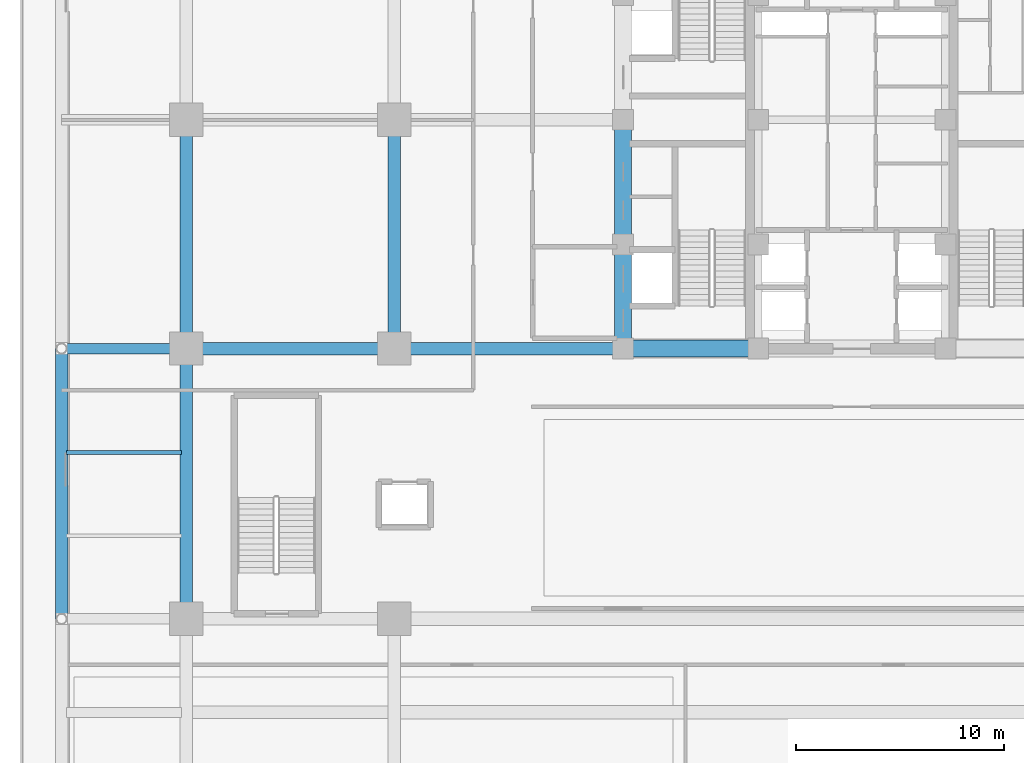
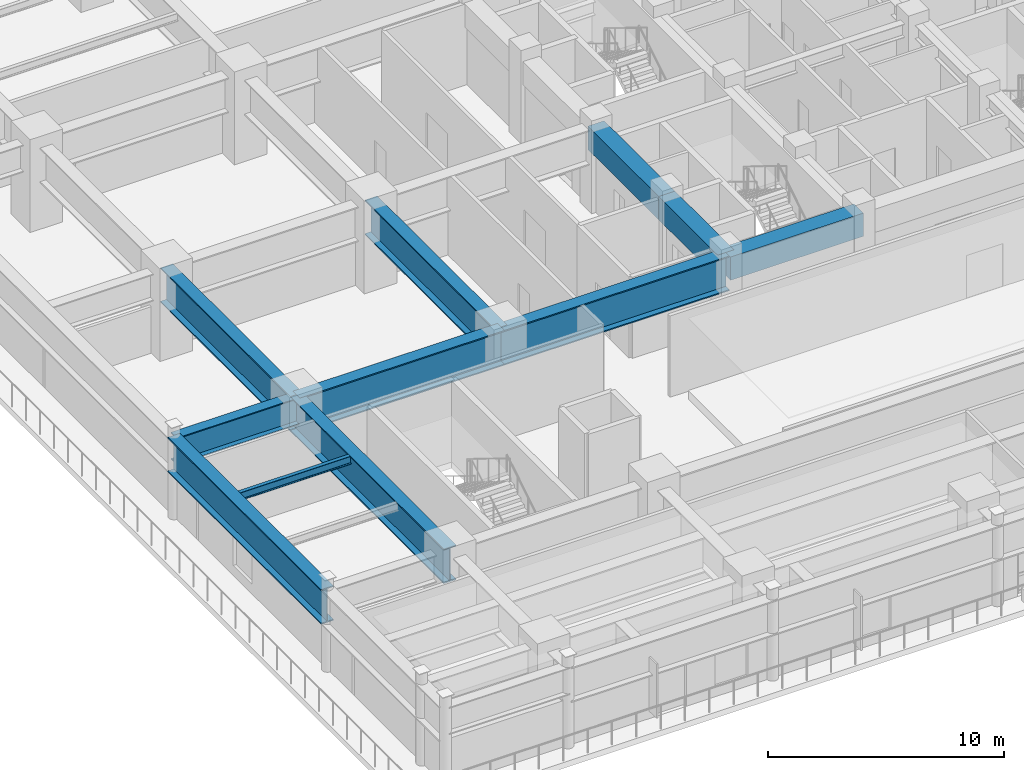
# One storey, part 8 of 35: 11 beams.
"""IFC4 building model written with IfcOpenShell, lengths in metres."""

from ifc_helpers import new_model, si_unit, direction, frame, origin, origin_2d, place, context, subcontext, project, spatial, rectangle, i_section, extrude, source, transform, mapped, material, material_profile, profile_set, type_object, element, save


model = new_model("IFC4")

# Units and contexts
model_context = context("Model", 3, precision=1e-05, world=origin(), true_north=direction((0.0, 1.0)))
body_context = subcontext(model_context, "Body", "Model", "MODEL_VIEW")
ifc_project = project(units=[si_unit("LENGTHUNIT", "METRE"), si_unit("AREAUNIT", "SQUARE_METRE"), si_unit("VOLUMEUNIT", "CUBIC_METRE"), si_unit("PLANEANGLEUNIT", "RADIAN"), si_unit("MASSUNIT", "GRAM", prefix="KILO")], contexts=[model_context])

# Site, building, storey
site_placement = place(None, origin())
site = spatial("IfcSite", under=ifc_project, at=site_placement, CompositionType="ELEMENT")
building_placement = place(site_placement, origin())
building = spatial("IfcBuilding", under=site, at=building_placement, Name="Khorayat Bourse Tower", CompositionType="ELEMENT")
storey_placement = place(building_placement, frame((0.0, 0.0, 22.199951171875)))
storey = spatial("IfcBuildingStorey", under=building, at=storey_placement, Name="L04", CompositionType="ELEMENT", Elevation=22.199951171875)

# Beams
ifc_material_1 = material(Name="Concrete C72/90", Category="concrete")
ifc_material_profile_1 = material_profile(ifc_material_1, rectangle(XDim=0.800048828125, YDim=1.199951171875, at=origin_2d()), Name="RC 800x1200")
ifc_profile_set_1 = profile_set([ifc_material_profile_1], Name="Concrete C72/90")
beam_type_1 = type_object("IfcBeamType", Name="BM-COUP-1200", PredefinedType="BEAM", material=ifc_profile_set_1)
shared_shape_1 = source(origin(), body_context, "Body", "SweptSolid", [
    extrude(rectangle(XDim=0.800048828125, YDim=1.199951171875, at=origin_2d()), origin(), (0.0, 0.0, 1.0), 5.0),
])
beam_1_placement = place(storey_placement, frame((-11.0, -11.0, 3.60009765625), z_axis=(0.0, 1.0, 0.0), x_axis=(-1.0, 0.0, 0.0)))
element("IfcBeam", 1, at=beam_1_placement, inside=storey, type_object=beam_type_1, Name="L04 BM-COUP-1200 BM-L04-CRX-01", PredefinedType="BEAM", context=body_context, shape_type="MappedRepresentation", body=[
    mapped(shared_shape_1, transform((0.0, 0.0, 0.0), scale=1.0)),
])
shared_shape_2 = source(origin(), body_context, "Body", "SweptSolid", [
    extrude(rectangle(XDim=0.800048828125, YDim=1.199951171875, at=origin_2d()), origin(), (0.0, 0.0, 1.0), 6.0),
])
beam_2_placement = place(storey_placement, frame((-11.0, -6.0, 3.60009765625), z_axis=(0.0, 1.0, 0.0), x_axis=(-1.0, 0.0, 0.0)))
element("IfcBeam", 2, at=beam_2_placement, inside=storey, type_object=beam_type_1, Name="L04 BM-COUP-1200 BM-L04-CRX-02", PredefinedType="BEAM", context=body_context, shape_type="MappedRepresentation", body=[
    mapped(shared_shape_2, transform((0.0, 0.0, 0.0), scale=1.0)),
])
shared_shape_3 = source(origin(), body_context, "Body", "SweptSolid", [
    extrude(rectangle(XDim=0.800048828125, YDim=1.199951171875, at=origin_2d()), origin(), (0.0, 0.0, 1.0), 6.5),
])
beam_3_placement = place(storey_placement, frame((-11.0, -11.0, 3.60009765625), z_axis=(1.0, 0.0, 0.0), x_axis=(0.0, 1.0, 0.0)))
element("IfcBeam", 3, at=beam_3_placement, inside=storey, type_object=beam_type_1, Name="L04 BM-COUP-1200 BM-L04-CRY-17", PredefinedType="BEAM", context=body_context, shape_type="MappedRepresentation", body=[
    mapped(shared_shape_3, transform((0.0, 0.0, 0.0), scale=1.0)),
])
ifc_material_2 = material(Name="Steel EN 10025-4 S460M", Category="steel")
ifc_material_profile_2 = material_profile(ifc_material_2, i_section(OverallWidth=0.60009765625, OverallDepth=1.800048828125, WebThickness=0.031982421875, FlangeThickness=0.06005859375, at=origin_2d()), Name="PG 1800x600x32x60")
ifc_profile_set_2 = profile_set([ifc_material_profile_2], Name="Steel EN 10025-4 S460M")
beam_type_2 = type_object("IfcBeamType", Name="BM-TR-1800", PredefinedType="BEAM", material=ifc_profile_set_2)
shared_shape_4 = source(origin(), body_context, "Body", "SweptSolid", [
    extrude(i_section(OverallWidth=0.60009765625, OverallDepth=1.800048828125, WebThickness=0.031982421875, FlangeThickness=0.06005859375, at=origin_2d()), origin(), (0.0, 0.0, 1.0), 10.0),
])
beam_4_placement = place(storey_placement, frame((-32.0, -11.0, 3.300048828125), z_axis=(1.0, 0.0, 0.0), x_axis=(0.0, 1.0, 0.0)))
element("IfcBeam", 4, at=beam_4_placement, inside=storey, type_object=beam_type_2, Name="L04 BM-TR-1800 BM-L04-PGX-050", PredefinedType="BEAM", context=body_context, shape_type="MappedRepresentation", body=[
    mapped(shared_shape_4, transform((0.0, 0.0, 0.0), scale=1.0)),
])
shared_shape_5 = source(origin(), body_context, "Body", "SweptSolid", [
    extrude(i_section(OverallWidth=0.60009765625, OverallDepth=1.800048828125, WebThickness=0.031982421875, FlangeThickness=0.06005859375, at=origin_2d()), origin(), (0.0, 0.0, 1.0), 11.0),
])
for number, where, z_axis, x_axis, name in (
    (5, (-22.0, -11.0, 3.300048828125), (1.0, 0.0, 0.0), (0.0, 1.0, 0.0), "L04 BM-TR-1800 BM-L04-PGX-051"),
    (6, (-32.0, -11.0, 3.300048828125), (0.0, 1.0, 0.0), (-1.0, 0.0, 0.0), "L04 BM-TR-1800 BM-L04-PGY-108"),
    (7, (-22.0, -11.0, 3.300048828125), (0.0, 1.0, 0.0), (-1.0, 0.0, 0.0), "L04 BM-TR-1800 BM-L04-PGY-117"),
):
    element("IfcBeam", number, at=place(storey_placement, frame(where, z_axis=z_axis, x_axis=x_axis)), inside=storey, type_object=beam_type_2, Name=name, PredefinedType="BEAM", context=body_context, shape_type="MappedRepresentation", body=[
        mapped(shared_shape_5, transform((0.0, 0.0, 0.0), scale=1.0)),
    ])
shared_shape_6 = source(origin(), body_context, "Body", "SweptSolid", [
    extrude(i_section(OverallWidth=0.60009765625, OverallDepth=1.800048828125, WebThickness=0.031982421875, FlangeThickness=0.06005859375, at=origin_2d()), origin(), (0.0, 0.0, 1.0), 13.0),
])
for number, where, z_axis, x_axis, name in (
    (8, (-38.0, -24.0, 3.300048828125), (0.0, 1.0, 0.0), (-1.0, 0.0, 0.0), "L04 BM-TR-1800 BM-L04-PGY-100"),
    (9, (-32.0, -24.0, 3.300048828125), (0.0, 1.0, 0.0), (-1.0, 0.0, 0.0), "L04 BM-TR-1800 BM-L04-PGY-107"),
):
    element("IfcBeam", number, at=place(storey_placement, frame(where, z_axis=z_axis, x_axis=x_axis)), inside=storey, type_object=beam_type_2, Name=name, PredefinedType="BEAM", context=body_context, shape_type="MappedRepresentation", body=[
        mapped(shared_shape_6, transform((0.0, 0.0, 0.0), scale=1.0)),
    ])
ifc_material_profile_3 = material_profile(ifc_material_2, i_section(OverallWidth=0.5, OverallDepth=1.39990234375, WebThickness=0.02490234375, FlangeThickness=0.050048828125, at=origin_2d()), Name="PG 1400x500x25x50")
ifc_profile_set_3 = profile_set([ifc_material_profile_3], Name="Steel EN 10025-4 S460M")
beam_type_3 = type_object("IfcBeamType", Name="BM-TR-1400", PredefinedType="BEAM", material=ifc_profile_set_3)
shared_shape_7 = source(origin(), body_context, "Body", "SweptSolid", [
    extrude(i_section(OverallWidth=0.5, OverallDepth=1.39990234375, WebThickness=0.02490234375, FlangeThickness=0.050048828125, at=origin_2d()), origin(), (0.0, 0.0, 1.0), 6.0),
])
beam_5_placement = place(storey_placement, frame((-38.0, -11.0, 3.5), z_axis=(1.0, 0.0, 0.0), x_axis=(0.0, 1.0, 0.0)))
element("IfcBeam", 10, at=beam_5_placement, inside=storey, type_object=beam_type_3, Name="L04 BM-TR-1400 BM-L04-PGX-049", PredefinedType="BEAM", context=body_context, shape_type="MappedRepresentation", body=[
    mapped(shared_shape_7, transform((0.0, 0.0, 0.0), scale=1.0)),
])
ifc_material_3 = material(Name="Steel ASTM A992 Grade 50", Category="steel")
ifc_material_profile_4 = material_profile(ifc_material_3, i_section(OverallWidth=0.180908203125, OverallDepth=0.4169921875, WebThickness=0.010986328125, FlangeThickness=0.018310546875, FilletRadius=0.011962890625, at=origin_2d()), Name="W410X85")
ifc_profile_set_4 = profile_set([ifc_material_profile_4], Name="Steel ASTM A992 Grade 50")
beam_type_4 = type_object("IfcBeamType", Name="BM-JOIST-410", PredefinedType="JOIST", material=ifc_profile_set_4)
shared_shape_8 = source(origin(), body_context, "Body", "SweptSolid", [
    extrude(i_section(OverallWidth=0.180908203125, OverallDepth=0.4169921875, WebThickness=0.010986328125, FlangeThickness=0.018310546875, FilletRadius=0.011962890625, at=origin_2d()), origin(), (0.0, 0.0, 1.0), 5.52001953125),
])
beam_6_placement = place(storey_placement, frame((-37.760009765625, -16.0, 3.991455078125), z_axis=(1.0, 0.0, 0.0), x_axis=(0.0, 1.0, 0.0)))
element("IfcBeam", 11, at=beam_6_placement, inside=storey, type_object=beam_type_4, Name="L04 BM-JOIST-410 BM-L04-PJ-165", PredefinedType="JOIST", context=body_context, shape_type="MappedRepresentation", body=[
    mapped(shared_shape_8, transform((0.0, 0.0, 0.0), scale=1.0)),
])

save(model, "model.ifc")
